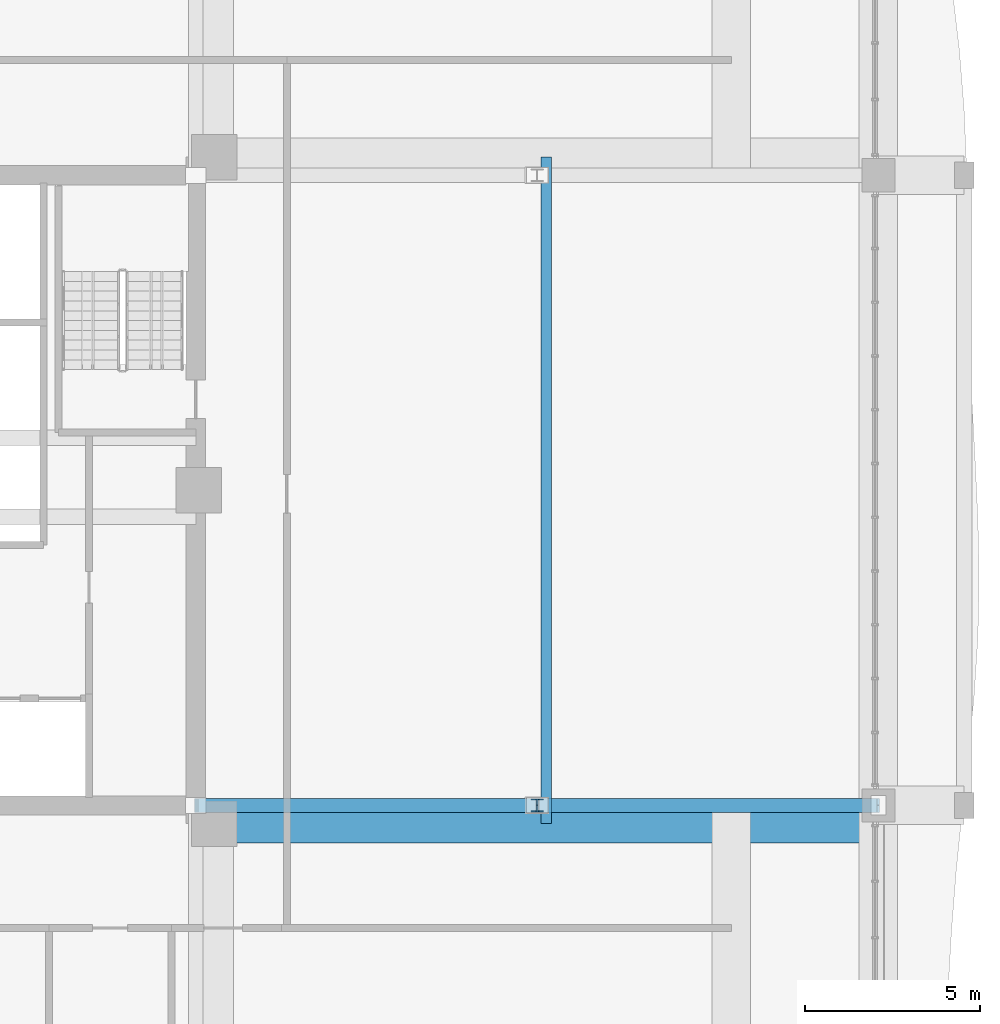
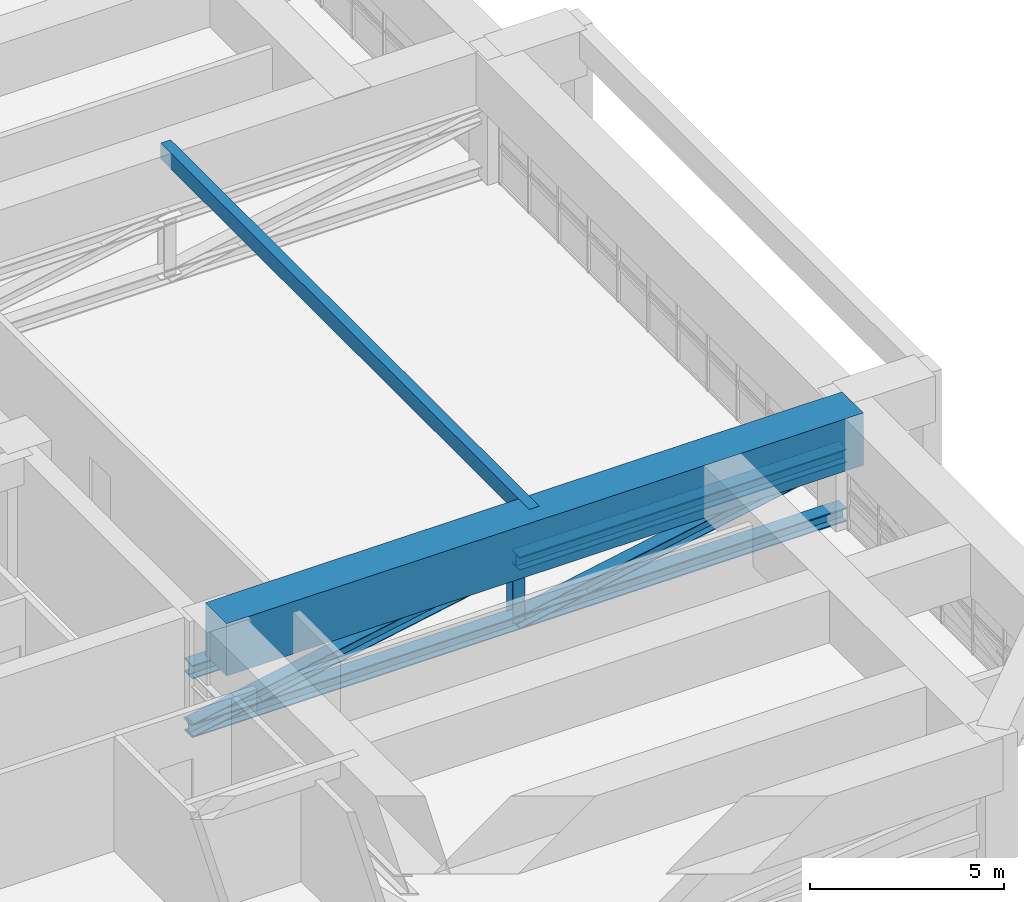
# One storey, part 14 of 35: 7 members, 2 beams.
"""IFC4 building model written with IfcOpenShell, lengths in metres."""

from ifc_helpers import new_model, si_unit, direction, frame, origin, origin_2d, place, context, subcontext, project, spatial, rectangle, i_section, extrude, source, transform, mapped, material, material_profile, profile_set, type_object, element, save


model = new_model("IFC4")

# Units and contexts
model_context = context("Model", 3, precision=1e-05, world=origin(), true_north=direction((0.0, 1.0)))
body_context = subcontext(model_context, "Body", "Model", "MODEL_VIEW")
ifc_project = project(units=[si_unit("LENGTHUNIT", "METRE"), si_unit("AREAUNIT", "SQUARE_METRE"), si_unit("VOLUMEUNIT", "CUBIC_METRE"), si_unit("PLANEANGLEUNIT", "RADIAN"), si_unit("MASSUNIT", "GRAM", prefix="KILO")], contexts=[model_context])

# Site, building, storey
site_placement = place(None, origin())
site = spatial("IfcSite", under=ifc_project, at=site_placement, CompositionType="ELEMENT")
building_placement = place(site_placement, origin())
building = spatial("IfcBuilding", under=site, at=building_placement, Name="Saelheon Loggia Tower", CompositionType="ELEMENT")
storey_placement = place(building_placement, frame((0.0, 0.0, 144.75)))
storey = spatial("IfcBuildingStorey", under=building, at=storey_placement, Name="L46", CompositionType="ELEMENT", Elevation=144.75)

# Beam
ifc_material_1 = material(Name="Concrete C50/60", Category="concrete")
ifc_material_profile_1 = material_profile(ifc_material_1, rectangle(XDim=1.10009765625, YDim=1.64990234375, at=origin_2d()), Name="RC-1100x1650")
ifc_profile_set_1 = profile_set([ifc_material_profile_1], Name="Concrete C50/60")
beam_type_1 = type_object("IfcBeamType", Name="Beam_MegaTransfer_RC1100x1650", PredefinedType="BEAM", material=ifc_profile_set_1)
shared_shape_1 = source(origin(), body_context, "Body", "SweptSolid", [
    extrude(rectangle(XDim=1.10009765625, YDim=1.64990234375, at=origin_2d()), origin(), (0.0, 0.0, 1.0), 18.97998046875),
])
beam_1_placement = place(storey_placement, frame((45.02001953125, 17.47998046875, 3.125), z_axis=(1.0, 0.0, 0.0), x_axis=(0.0, 1.0, 0.0)))
element("IfcBeam", 1, at=beam_1_placement, inside=storey, type_object=beam_type_1, Name="L46 Radial Floor Girder RAD-SE-E", PredefinedType="BEAM", context=body_context, shape_type="MappedRepresentation", body=[
    mapped(shared_shape_1, transform((0.0, 0.0, 0.0), scale=1.0)),
])

# Members
ifc_material_2 = material(Name="Steel SM355", Category="steel")
ifc_material_profile_2 = material_profile(ifc_material_2, i_section(OverallWidth=0.406982421875, OverallDepth=0.427978515625, WebThickness=0.02001953125, FlangeThickness=0.034912109375, at=origin_2d()), Name="H-428x407x20x35")
ifc_profile_set_2 = profile_set([ifc_material_profile_2], Name="Steel SM355")
member_type_1 = type_object("IfcMemberType", Name="Outrigger_Chord_H428", PredefinedType="CHORD", material=ifc_profile_set_2)
shared_shape_2 = source(origin(), body_context, "Body", "SweptSolid", [
    extrude(i_section(OverallWidth=0.406982421875, OverallDepth=0.427978515625, WebThickness=0.02001953125, FlangeThickness=0.034912109375, at=origin_2d()), origin(), (0.0, 0.0, 1.0), 9.75),
])
for number, where, z_axis, x_axis, name in (
    (2, (44.5, 18.0, 0.219970703125), (1.0, 0.0, 0.0), (0.0, 1.0, 0.0), "L46 Outrigger Bottom Chord SE-E 1"),
    (3, (54.25, 18.0, 0.219970703125), (1.0, 0.0, 0.0), (0.0, 1.0, 0.0), "L46 Outrigger Bottom Chord SE-E 2"),
    (4, (44.5, 18.0, 2.070068359375), (1.0, 0.0, 0.0), (0.0, 1.0, 0.0), "L46 Outrigger Top Chord SE-E 1"),
    (5, (54.25, 18.0, 2.070068359375), (1.0, 0.0, 0.0), (0.0, 1.0, 0.0), "L46 Outrigger Top Chord SE-E 2"),
):
    element("IfcMember", number, at=place(storey_placement, frame(where, z_axis=z_axis, x_axis=x_axis)), inside=storey, type_object=member_type_1, Name=name, PredefinedType="CHORD", context=body_context, shape_type="MappedRepresentation", body=[
        mapped(shared_shape_2, transform((0.0, 0.0, 0.0), scale=1.0)),
    ])

# Beam
ifc_material_3 = material(Name="Concrete C40/50", Category="concrete")
ifc_material_profile_3 = material_profile(ifc_material_3, rectangle(XDim=0.300048828125, YDim=0.5, at=origin_2d()), Name="RC-300x500")
ifc_profile_set_3 = profile_set([ifc_material_profile_3], Name="Concrete C40/50")
beam_type_2 = type_object("IfcBeamType", Name="Beam_Joist_RC300x500", PredefinedType="JOIST", material=ifc_profile_set_3)
shared_shape_3 = source(origin(), body_context, "Body", "SweptSolid", [
    extrude(rectangle(XDim=0.300048828125, YDim=0.5, at=origin_2d()), origin(), (0.0, 0.0, 1.0), 19.0400390625),
])
beam_2_placement = place(storey_placement, frame((54.510009765625, 17.47998046875, 3.699951171875), z_axis=(0.0, 1.0, 0.0), x_axis=(-1.0, 0.0, 0.0)))
element("IfcBeam", 6, at=beam_2_placement, inside=storey, type_object=beam_type_2, Name="L46 East Floor Joist", PredefinedType="JOIST", context=body_context, shape_type="MappedRepresentation", body=[
    mapped(shared_shape_3, transform((0.0, 0.0, 0.0), scale=1.0)),
])

# Members
ifc_material_profile_4 = material_profile(ifc_material_2, i_section(OverallWidth=0.35009765625, OverallDepth=0.35009765625, WebThickness=0.011962890625, FlangeThickness=0.01904296875, at=origin_2d()), Name="H-350x350x12x19")
ifc_profile_set_4 = profile_set([ifc_material_profile_4], Name="Steel SM355")
member_type_2 = type_object("IfcMemberType", Name="Outrigger_Post_H350", PredefinedType="POST", material=ifc_profile_set_4)
shared_shape_4 = source(origin(), body_context, "Body", "SweptSolid", [
    extrude(i_section(OverallWidth=0.35009765625, OverallDepth=0.35009765625, WebThickness=0.011962890625, FlangeThickness=0.01904296875, at=origin_2d()), origin(), (0.0, 0.0, 1.0), 1.85009765625),
])
member_placement = place(storey_placement, frame((54.25, 18.0, 0.219970703125), z_axis=(0.0, 0.0, 1.0), x_axis=(1.0, 0.0, 0.0)))
element("IfcMember", 7, at=member_placement, inside=storey, type_object=member_type_2, Name="L46 Outrigger Web Post SE-E", PredefinedType="POST", context=body_context, shape_type="MappedRepresentation", body=[
    mapped(shared_shape_4, transform((0.0, 0.0, 0.0), scale=1.0)),
])
ifc_material_profile_5 = material_profile(ifc_material_2, i_section(OverallWidth=0.39990234375, OverallDepth=0.39990234375, WebThickness=0.012939453125, FlangeThickness=0.02099609375, at=origin_2d()), Name="H-400x400x13x21")
ifc_profile_set_5 = profile_set([ifc_material_profile_5], Name="Steel SM355")
member_type_3 = type_object("IfcMemberType", Name="Outrigger_Brace_H400", PredefinedType="BRACE", material=ifc_profile_set_5)
shared_shape_5 = source(origin(), body_context, "Body", "SweptSolid", [
    extrude(i_section(OverallWidth=0.39990234375, OverallDepth=0.39990234375, WebThickness=0.012939453125, FlangeThickness=0.02099609375, at=origin_2d()), origin(), (0.0, 0.0, 1.0), 9.924072265625),
])
for number, where, z_axis, x_axis, name in (
    (8, (44.5, 18.0, 0.219970703125), (0.982468815564, 0.0, 0.186427000309), (0.0, 1.0, 0.0), "L46 Outrigger Diagonal SE-E 1"),
    (9, (54.25, 18.0, 0.219970703125), (0.982468815564, 0.0, 0.186427000309), (0.0, 1.0, 0.0), "L46 Outrigger Diagonal SE-E 2"),
):
    element("IfcMember", number, at=place(storey_placement, frame(where, z_axis=z_axis, x_axis=x_axis)), inside=storey, type_object=member_type_3, Name=name, PredefinedType="BRACE", context=body_context, shape_type="MappedRepresentation", body=[
        mapped(shared_shape_5, transform((0.0, 0.0, 0.0), scale=1.0)),
    ])

save(model, "model.ifc")
